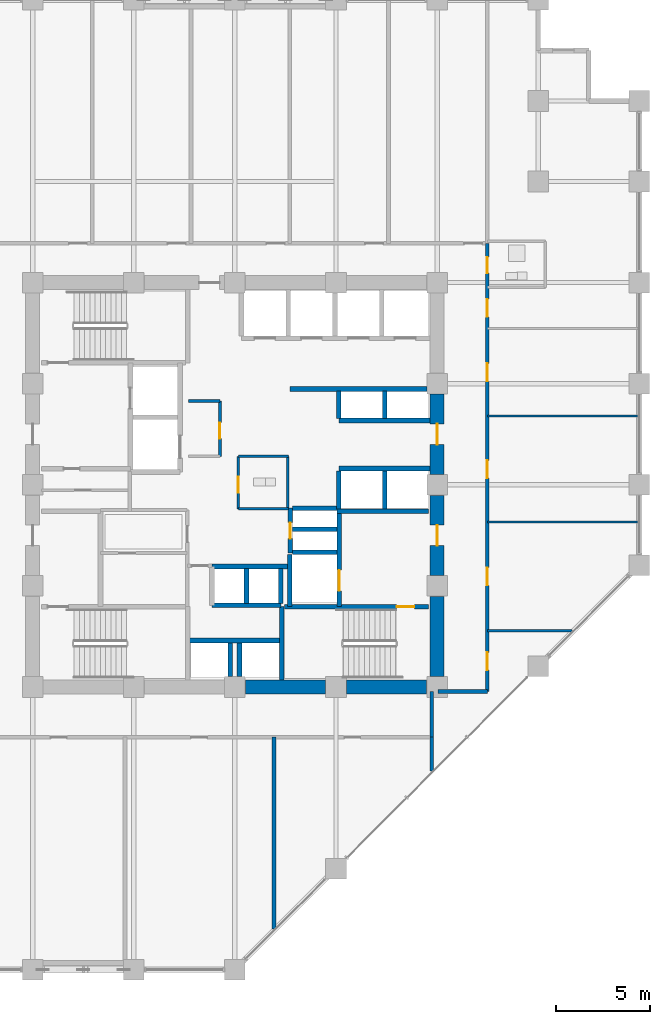
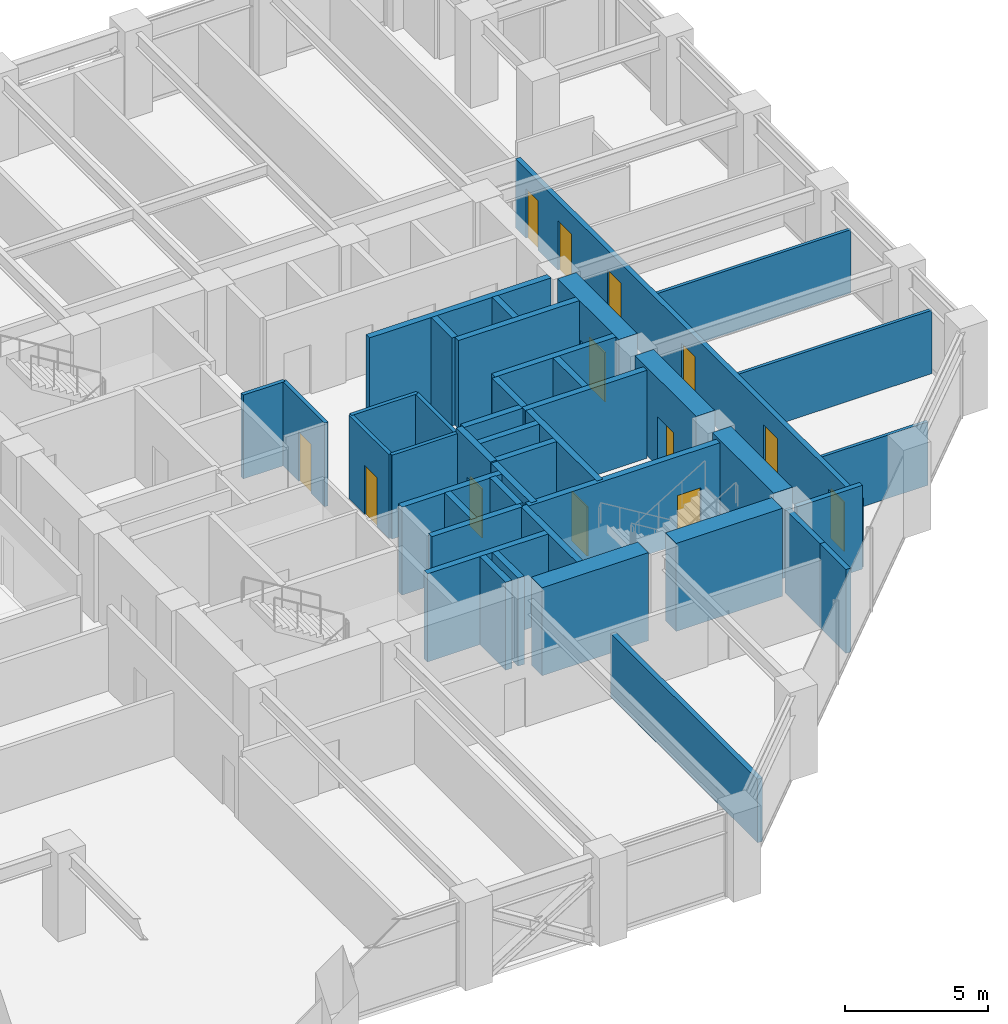
# One storey, part 20 of 25: 42 walls, 13 doors, 13 openings.
"""IFC4 building model written with IfcOpenShell, lengths in metres."""

from ifc_helpers import new_model, si_unit, direction, frame, frame_2d, origin, place, context, subcontext, project, spatial, rectangle, extrude, material, layer, layer_set, type_object, element, fill, save


model = new_model("IFC4")

# Units and contexts
model_context = context("Model", 3, precision=1e-05, world=origin(), true_north=direction((0.0, 1.0)))
body_context = subcontext(model_context, "Body", "Model", "MODEL_VIEW")
ifc_project = project(units=[si_unit("LENGTHUNIT", "METRE"), si_unit("AREAUNIT", "SQUARE_METRE"), si_unit("VOLUMEUNIT", "CUBIC_METRE"), si_unit("PLANEANGLEUNIT", "RADIAN"), si_unit("MASSUNIT", "GRAM", prefix="KILO")], contexts=[model_context])

# Site, building, storey
site_placement = place(None, origin())
site = spatial("IfcSite", under=ifc_project, at=site_placement, CompositionType="ELEMENT")
building_placement = place(site_placement, origin())
building = spatial("IfcBuilding", under=site, at=building_placement, Name="Surkhivell Harbour Commons", CompositionType="ELEMENT")
storey_placement = place(building_placement, frame((0.0, 0.0, 117.0)))
storey = spatial("IfcBuildingStorey", under=building, at=storey_placement, Name="L30", CompositionType="ELEMENT", Elevation=117.0)

# Wall
ifc_material_1 = material(Name="Concrete C60/75", Category="concrete")
ifc_layer_1 = layer(ifc_material_1, 0.75)
ifc_layer_set_1 = layer_set([ifc_layer_1], Name="Concrete C60/75")
wall_type_1 = type_object("IfcWallType", Name="WAL-CORE-750", PredefinedType="SHEAR", material=ifc_layer_set_1)
wall_1_placement = place(storey_placement, frame((10.800048828125, -10.239990234375, 0.0), z_axis=(0.0, 0.0, 1.0), x_axis=(0.0, 1.0, 0.0)))
element("IfcWall", 1, at=wall_1_placement, inside=storey, type_object=wall_type_1, Name="L30 Core Shear Wall East 1", PredefinedType="SHEAR", context=body_context, shape_type="SweptSolid", body=[
    extrude(rectangle(XDim=4.280029296875, YDim=0.75, at=frame_2d((2.14013671875, 0.0))), origin(), (0.0, 0.0, 1.0), 3.75),
])

# Wall, opening, door
wall_2_placement = place(storey_placement, frame((10.800048828125, -4.840087890625, 0.0), z_axis=(0.0, 0.0, 1.0), x_axis=(0.0, 1.0, 0.0)))
wall_2 = element("IfcWall", 2, at=wall_2_placement, inside=storey, type_object=wall_type_1, Name="L30 Core Shear Wall East 2", PredefinedType="SHEAR", context=body_context, shape_type="SweptSolid", body=[
    extrude(rectangle(XDim=4.280029296875, YDim=0.75, at=frame_2d((2.14013671875, 0.0))), origin(), (0.0, 0.0, 1.0), 3.75),
])
opening_1_placement = place(wall_2_placement, frame((1.590087890625, 0.0, 0.0)))
opening_1 = element("IfcOpeningElement", 3, at=opening_1_placement, cuts=wall_2, Name="Opening ID-1", PredefinedType="OPENING", context=body_context, shape_type="SweptSolid", body=[
    extrude(rectangle(XDim=1.10009765625, YDim=2.10009765625, at=frame_2d((0.550048828125, 1.050048828125))), frame((0.0, 0.385009765625, 0.0), z_axis=(0.0, -1.0, 0.0), x_axis=(1.0, 0.0, 0.0)), (0.0, 0.0, 1.0), 0.77001953125),
])
ifc_material_2 = material(Name="Hardwood-veneered fire-rated door leaf", Category="wood")
door_type_1 = type_object("IfcDoorType", Name="DOR-FD120-1100", OperationType="NOTDEFINED", PredefinedType="DOOR", material=ifc_material_2)
door_1_placement = place(opening_1_placement, origin())
door_1 = element("IfcDoor", 4, at=door_1_placement, inside=storey, type_object=door_type_1, Name="L30 Firefighting Lobby 2 Corridor Door", OperationType="SINGLE_SWING_RIGHT", OverallHeight=2.10009765625, OverallWidth=1.10009765625, PredefinedType="DOOR", context=body_context, shape_type="SweptSolid", body=[
    extrude(rectangle(XDim=1.10009765625, YDim=2.10009765625, at=frame_2d((0.550048828125, 1.050048828125))), frame((0.0, 0.02490234375, 0.0), z_axis=(0.0, -1.0, 0.0), x_axis=(1.0, 0.0, 0.0)), (0.0, 0.0, 1.0), 0.050048828125),
])
fill(opening_1, door_1)

# Wall
wall_3_placement = place(storey_placement, frame((0.56005859375, -10.800048828125, 0.0), z_axis=(0.0, 0.0, 1.0), x_axis=(1.0, 0.0, 0.0)))
element("IfcWall", 5, at=wall_3_placement, inside=storey, type_object=wall_type_1, Name="L30 Core Shear Wall South 3", PredefinedType="SHEAR", context=body_context, shape_type="SweptSolid", body=[
    extrude(rectangle(XDim=4.280029296875, YDim=0.75, at=frame_2d((2.14013671875, 0.0))), origin(), (0.0, 0.0, 1.0), 3.75),
])

# Wall, opening, door
wall_4_placement = place(storey_placement, frame((10.800048828125, 0.56005859375, 0.0), z_axis=(0.0, 0.0, 1.0), x_axis=(0.0, 1.0, 0.0)))
wall_4 = element("IfcWall", 6, at=wall_4_placement, inside=storey, type_object=wall_type_1, Name="L30 Core Shear Wall East 3", PredefinedType="SHEAR", context=body_context, shape_type="SweptSolid", body=[
    extrude(rectangle(XDim=4.280029296875, YDim=0.75, at=frame_2d((2.14013671875, 0.0))), origin(), (0.0, 0.0, 1.0), 3.75),
])
opening_2_placement = place(wall_4_placement, frame((1.590087890625, 0.0, 0.0)))
opening_2 = element("IfcOpeningElement", 7, at=opening_2_placement, cuts=wall_4, Name="Opening ID-2", PredefinedType="OPENING", context=body_context, shape_type="SweptSolid", body=[
    extrude(rectangle(XDim=1.10009765625, YDim=2.10009765625, at=frame_2d((0.550048828125, 1.050048828125))), frame((0.0, 0.385009765625, 0.0), z_axis=(0.0, -1.0, 0.0), x_axis=(1.0, 0.0, 0.0)), (0.0, 0.0, 1.0), 0.77001953125),
])
door_type_2 = type_object("IfcDoorType", Name="DOR-FD60-1100", OperationType="NOTDEFINED", PredefinedType="DOOR", material=ifc_material_2)
door_2_placement = place(opening_2_placement, origin())
door_2 = element("IfcDoor", 8, at=door_2_placement, inside=storey, type_object=door_type_2, Name="L30 Mid-Rise Lobby East Door", OperationType="SINGLE_SWING_LEFT", OverallHeight=2.10009765625, OverallWidth=1.10009765625, PredefinedType="DOOR", context=body_context, shape_type="SweptSolid", body=[
    extrude(rectangle(XDim=1.10009765625, YDim=2.10009765625, at=frame_2d((0.550048828125, 1.050048828125))), frame((0.0, 0.02490234375, 0.0), z_axis=(0.0, -1.0, 0.0), x_axis=(1.0, 0.0, 0.0)), (0.0, 0.0, 1.0), 0.050048828125),
])
fill(opening_2, door_2)

# Walls
wall_5_placement = place(storey_placement, frame((5.9599609375, -10.800048828125, 0.0), z_axis=(0.0, 0.0, 1.0), x_axis=(1.0, 0.0, 0.0)))
element("IfcWall", 9, at=wall_5_placement, inside=storey, type_object=wall_type_1, Name="L30 Core Shear Wall South 4", PredefinedType="SHEAR", context=body_context, shape_type="SweptSolid", body=[
    extrude(rectangle(XDim=4.280029296875, YDim=0.75, at=frame_2d((2.14013671875, 0.0))), origin(), (0.0, 0.0, 1.0), 3.75),
])
ifc_material_3 = material(Name="Moisture-resistant acoustic stud partition", Category="other")
ifc_layer_2 = layer(ifc_material_3, 0.125)
ifc_layer_set_2 = layer_set([ifc_layer_2], Name="Moisture-resistant acoustic stud partition")
wall_type_2 = type_object("IfcWallType", Name="WAL-INT-125", PredefinedType="PARTITIONING", material=ifc_layer_set_2)
for number, where, z_axis, x_axis, name in (
    (10, (13.47998046875, -1.989990234375, 0.0), (0.0, 0.0, 1.0), (1.0, 0.0, 0.0), "L30 East Partition BDP1"),
    (11, (13.47998046875, 3.669921875, 0.0), (0.0, 0.0, 1.0), (1.0, 0.0, 0.0), "L30 East Partition BDP2"),
):
    element("IfcWall", number, at=place(storey_placement, frame(where, z_axis=z_axis, x_axis=x_axis)), inside=storey, type_object=wall_type_2, Name=name, PredefinedType="PARTITIONING", context=body_context, shape_type="SweptSolid", body=[
        extrude(rectangle(XDim=8.06005859375, YDim=0.125, at=frame_2d((4.030029296875, 0.0))), origin(), (0.0, 0.0, 1.0), 2.698974609375),
    ])
wall_6_placement = place(storey_placement, frame((13.47998046875, -7.800048828125, 0.0), z_axis=(0.0, 0.0, 1.0), x_axis=(1.0, 0.0, 0.0)))
element("IfcWall", 12, at=wall_6_placement, inside=storey, type_object=wall_type_2, Name="L30 East Partition PBOT", PredefinedType="PARTITIONING", context=body_context, shape_type="SweptSolid", body=[
    extrude(rectangle(XDim=4.53515625, YDim=0.125, at=frame_2d((2.267578125, 0.0))), origin(), (0.0, 0.0, 1.0), 2.698974609375),
])
ifc_material_4 = material(Name="Twin-stud acoustic fireboard partition", Category="other")
ifc_layer_3 = layer(ifc_material_4, 0.14990234375)
ifc_layer_set_3 = layer_set([ifc_layer_3], Name="Twin-stud acoustic fireboard partition")
wall_type_3 = type_object("IfcWallType", Name="WAL-INT-150", PredefinedType="PARTITIONING", material=ifc_layer_set_3)
wall_7_placement = place(storey_placement, frame((2.820068359375, -1.25, 0.0), z_axis=(0.0, 0.0, 1.0), x_axis=(0.0, 1.0, 0.0)))
element("IfcWall", 13, at=wall_7_placement, inside=storey, type_object=wall_type_3, Name="L30 Core WC East Wall", PredefinedType="PARTITIONING", context=body_context, shape_type="SweptSolid", body=[
    extrude(rectangle(XDim=2.77001953125, YDim=0.14990234375, at=frame_2d((1.385009765625, 0.0))), origin(), (0.0, 0.0, 1.0), 3.570068359375),
])
for number, where, z_axis, x_axis, name in (
    (14, (0.179931640625, 1.52001953125, 0.0), (0.0, 0.0, 1.0), (1.0, 0.0, 0.0), "L30 Core WC North Wall"),
    (15, (0.179931640625, -1.280029296875, 0.0), (0.0, 0.0, 1.0), (1.0, 0.0, 0.0), "L30 Core WC South Wall"),
):
    element("IfcWall", number, at=place(storey_placement, frame(where, z_axis=z_axis, x_axis=x_axis)), inside=storey, type_object=wall_type_3, Name=name, PredefinedType="PARTITIONING", context=body_context, shape_type="SweptSolid", body=[
        extrude(rectangle(XDim=2.670166015625, YDim=0.14990234375, at=frame_2d((1.3349609375, 0.0))), origin(), (0.0, 0.0, 1.0), 3.570068359375),
    ])

# Wall, opening, door
wall_8_placement = place(storey_placement, frame((0.179931640625, -1.280029296875, 0.0), z_axis=(0.0, 0.0, 1.0), x_axis=(0.0, 1.0, 0.0)))
wall_8 = element("IfcWall", 16, at=wall_8_placement, inside=storey, type_object=wall_type_3, Name="L30 Core Accessible WC West Wall", PredefinedType="PARTITIONING", context=body_context, shape_type="SweptSolid", body=[
    extrude(rectangle(XDim=2.800048828125, YDim=0.14990234375, at=frame_2d((1.39990234375, 0.0))), origin(), (0.0, 0.0, 1.0), 3.570068359375),
])
opening_3_placement = place(wall_8_placement, frame((0.85009765625, 0.0, 0.0)))
opening_3 = element("IfcOpeningElement", 17, at=opening_3_placement, cuts=wall_8, Name="Opening ID-6", PredefinedType="OPENING", context=body_context, shape_type="SweptSolid", body=[
    extrude(rectangle(XDim=0.85009765625, YDim=2.10009765625, at=frame_2d((0.425048828125, 1.050048828125))), frame((0.0, 0.0849609375, 0.0), z_axis=(0.0, -1.0, 0.0), x_axis=(1.0, 0.0, 0.0)), (0.0, 0.0, 1.0), 0.169921875),
])
door_type_3 = type_object("IfcDoorType", Name="DOR-FD30-850", OperationType="NOTDEFINED", PredefinedType="DOOR", material=ifc_material_2)
door_3_placement = place(opening_3_placement, origin())
door_3 = element("IfcDoor", 18, at=door_3_placement, inside=storey, type_object=door_type_3, Name="L30 Floor Accessible WC Door", OperationType="SINGLE_SWING_RIGHT", OverallHeight=2.10009765625, OverallWidth=0.85009765625, PredefinedType="DOOR", context=body_context, shape_type="SweptSolid", body=[
    extrude(rectangle(XDim=0.85009765625, YDim=2.10009765625, at=frame_2d((0.425048828125, 1.050048828125))), frame((0.0, 0.02490234375, 0.0), z_axis=(0.0, -1.0, 0.0), x_axis=(1.0, 0.0, 0.0)), (0.0, 0.0, 1.0), 0.050048828125),
])
fill(opening_3, door_3)

wall_9_placement = place(storey_placement, frame((-0.800048828125, 1.52001953125, 0.0), z_axis=(0.0, 0.0, 1.0), x_axis=(0.0, 1.0, 0.0)))
wall_9 = element("IfcWall", 19, at=wall_9_placement, inside=storey, type_object=wall_type_3, Name="L30 Core Seminar East Wall", PredefinedType="PARTITIONING", context=body_context, shape_type="SweptSolid", body=[
    extrude(rectangle(XDim=2.9599609375, YDim=0.14990234375, at=frame_2d((1.47998046875, 0.0))), origin(), (0.0, 0.0, 1.0), 3.570068359375),
])
opening_4_placement = place(wall_9_placement, frame((0.949951171875, 0.0, 0.0)))
opening_4 = element("IfcOpeningElement", 20, at=opening_4_placement, cuts=wall_9, Name="Opening ID-6", PredefinedType="OPENING", context=body_context, shape_type="SweptSolid", body=[
    extrude(rectangle(XDim=0.85009765625, YDim=2.10009765625, at=frame_2d((0.425048828125, 1.050048828125))), frame((0.0, 0.0849609375, 0.0), z_axis=(0.0, -1.0, 0.0), x_axis=(1.0, 0.0, 0.0)), (0.0, 0.0, 1.0), 0.169921875),
])
door_4_placement = place(opening_4_placement, origin())
door_4 = element("IfcDoor", 21, at=door_4_placement, inside=storey, type_object=door_type_3, Name="L30 Central Seminar Door", OperationType="SINGLE_SWING_LEFT", OverallHeight=2.10009765625, OverallWidth=0.85009765625, PredefinedType="DOOR", context=body_context, shape_type="SweptSolid", body=[
    extrude(rectangle(XDim=0.85009765625, YDim=2.10009765625, at=frame_2d((0.425048828125, 1.050048828125))), frame((0.0, 0.02490234375, 0.0), z_axis=(0.0, -1.0, 0.0), x_axis=(1.0, 0.0, 0.0)), (0.0, 0.0, 1.0), 0.050048828125),
])
fill(opening_4, door_4)

# Walls
wall_10_placement = place(storey_placement, frame((-2.47998046875, 4.47998046875, 0.0), z_axis=(0.0, 0.0, 1.0), x_axis=(1.0, 0.0, 0.0)))
element("IfcWall", 22, at=wall_10_placement, inside=storey, type_object=wall_type_3, Name="L30 Core Seminar North Wall", PredefinedType="PARTITIONING", context=body_context, shape_type="SweptSolid", body=[
    extrude(rectangle(XDim=1.679931640625, YDim=0.14990234375, at=frame_2d((0.83984375, 0.0))), origin(), (0.0, 0.0, 1.0), 3.570068359375),
])
ifc_material_5 = material(Name="Autoclaved aerated concrete blockwork and fire plaster", Category="masonry")
ifc_layer_4 = layer(ifc_material_5, 0.199951171875)
ifc_layer_set_4 = layer_set([ifc_layer_4], Name="Autoclaved aerated concrete blockwork and fire plaster")
wall_type_4 = type_object("IfcWallType", Name="WAL-INT-200", PredefinedType="PARTITIONING", material=ifc_layer_set_4)
wall_11_placement = place(storey_placement, frame((10.52001953125, -15.295166015625, 0.0), z_axis=(0.0, 0.0, 1.0), x_axis=(0.0, 1.0, 0.0)))
element("IfcWall", 23, at=wall_11_placement, inside=storey, type_object=wall_type_4, Name="L30 South-East Wing Corner Divider", PredefinedType="PARTITIONING", context=body_context, shape_type="SweptSolid", body=[
    extrude(rectangle(XDim=1.815185546875, YDim=0.199951171875, at=frame_2d((0.90771484375, 0.0))), origin(), (0.0, 0.0, 1.0), 3.570068359375),
])

# Wall, openings, doors
wall_12_placement = place(storey_placement, frame((13.47998046875, -11.0400390625, 0.0), z_axis=(0.0, 0.0, 1.0), x_axis=(0.0, 1.0, 0.0)))
wall_12 = element("IfcWall", 24, at=wall_12_placement, inside=storey, type_object=wall_type_4, Name="L30 Corridor East Wall", PredefinedType="PARTITIONING", context=body_context, shape_type="SweptSolid", body=[
    extrude(rectangle(XDim=23.93994140625, YDim=0.199951171875, at=frame_2d((11.969970703125, 0.0))), origin(), (0.0, 0.0, 1.0), 2.93310546875),
])
opening_5_placement = place(wall_12_placement, frame((1.139892578125, 0.0, 0.0)))
opening_5 = element("IfcOpeningElement", 25, at=opening_5_placement, cuts=wall_12, Name="Opening ID-4", PredefinedType="OPENING", context=body_context, shape_type="SweptSolid", body=[
    extrude(rectangle(XDim=0.949951171875, YDim=2.10009765625, at=frame_2d((0.47509765625, 1.050048828125))), frame((0.0, 0.10986328125, 0.0), z_axis=(0.0, -1.0, 0.0), x_axis=(1.0, 0.0, 0.0)), (0.0, 0.0, 1.0), 0.219970703125),
])
opening_6_placement = place(wall_12_placement, frame((22.344970703125, 0.0, 0.0)))
opening_6 = element("IfcOpeningElement", 26, at=opening_6_placement, cuts=wall_12, Name="Opening ID-6", PredefinedType="OPENING", context=body_context, shape_type="SweptSolid", body=[
    extrude(rectangle(XDim=0.85009765625, YDim=2.10009765625, at=frame_2d((0.425048828125, 1.050048828125))), frame((0.0, 0.10986328125, 0.0), z_axis=(0.0, -1.0, 0.0), x_axis=(1.0, 0.0, 0.0)), (0.0, 0.0, 1.0), 0.219970703125),
])
opening_7_placement = place(wall_12_placement, frame((20.010009765625, 0.0, 0.0)))
opening_7 = element("IfcOpeningElement", 27, at=opening_7_placement, cuts=wall_12, Name="Opening ID-4", PredefinedType="OPENING", context=body_context, shape_type="SweptSolid", body=[
    extrude(rectangle(XDim=0.949951171875, YDim=2.10009765625, at=frame_2d((0.47509765625, 1.050048828125))), frame((0.0, 0.10986328125, 0.0), z_axis=(0.0, -1.0, 0.0), x_axis=(1.0, 0.0, 0.0)), (0.0, 0.0, 1.0), 0.219970703125),
])
opening_8_placement = place(wall_12_placement, frame((5.6650390625, 0.0, 0.0)))
opening_8 = element("IfcOpeningElement", 28, at=opening_8_placement, cuts=wall_12, Name="Opening ID-4", PredefinedType="OPENING", context=body_context, shape_type="SweptSolid", body=[
    extrude(rectangle(XDim=0.949951171875, YDim=2.10009765625, at=frame_2d((0.47509765625, 1.050048828125))), frame((0.0, 0.10986328125, 0.0), z_axis=(0.0, -1.0, 0.0), x_axis=(1.0, 0.0, 0.0)), (0.0, 0.0, 1.0), 0.219970703125),
])
opening_9_placement = place(wall_12_placement, frame((11.39990234375, 0.0, 0.0)))
opening_9 = element("IfcOpeningElement", 29, at=opening_9_placement, cuts=wall_12, Name="Opening ID-4", PredefinedType="OPENING", context=body_context, shape_type="SweptSolid", body=[
    extrude(rectangle(XDim=0.949951171875, YDim=2.10009765625, at=frame_2d((0.47509765625, 1.050048828125))), frame((0.0, 0.10986328125, 0.0), z_axis=(0.0, -1.0, 0.0), x_axis=(1.0, 0.0, 0.0)), (0.0, 0.0, 1.0), 0.219970703125),
])
opening_10_placement = place(wall_12_placement, frame((16.570068359375, 0.0, 0.0)))
opening_10 = element("IfcOpeningElement", 30, at=opening_10_placement, cuts=wall_12, Name="Opening ID-4", PredefinedType="OPENING", context=body_context, shape_type="SweptSolid", body=[
    extrude(rectangle(XDim=0.949951171875, YDim=2.10009765625, at=frame_2d((0.47509765625, 1.050048828125))), frame((0.0, 0.10986328125, 0.0), z_axis=(0.0, -1.0, 0.0), x_axis=(1.0, 0.0, 0.0)), (0.0, 0.0, 1.0), 0.219970703125),
])
door_5_placement = place(opening_6_placement, origin())
door_5 = element("IfcDoor", 31, at=door_5_placement, inside=storey, type_object=door_type_3, Name="L30 Communal Shower Bathroom East Door", OperationType="SINGLE_SWING_RIGHT", OverallHeight=2.10009765625, OverallWidth=0.85009765625, PredefinedType="DOOR", context=body_context, shape_type="SweptSolid", body=[
    extrude(rectangle(XDim=0.85009765625, YDim=2.10009765625, at=frame_2d((0.425048828125, 1.050048828125))), frame((0.0, 0.02490234375, 0.0), z_axis=(0.0, -1.0, 0.0), x_axis=(1.0, 0.0, 0.0)), (0.0, 0.0, 1.0), 0.050048828125),
])
fill(opening_6, door_5)
door_type_4 = type_object("IfcDoorType", Name="DOR-FD60-950", OperationType="NOTDEFINED", PredefinedType="DOOR", material=ifc_material_2)
door_6_placement = place(opening_5_placement, origin())
door_6 = element("IfcDoor", 32, at=door_6_placement, inside=storey, type_object=door_type_4, Name="L30 Shared Communal Kitchen East Door", OperationType="SINGLE_SWING_LEFT", OverallHeight=2.10009765625, OverallWidth=0.949951171875, PredefinedType="DOOR", context=body_context, shape_type="SweptSolid", body=[
    extrude(rectangle(XDim=0.949951171875, YDim=2.10009765625, at=frame_2d((0.47509765625, 1.050048828125))), frame((0.0, 0.02490234375, 0.0), z_axis=(0.0, -1.0, 0.0), x_axis=(1.0, 0.0, 0.0)), (0.0, 0.0, 1.0), 0.050048828125),
])
fill(opening_5, door_6)
door_7_placement = place(opening_7_placement, origin())
door_7 = element("IfcDoor", 33, at=door_7_placement, inside=storey, type_object=door_type_4, Name="L30 Academic Reading Commons East Door", OperationType="SINGLE_SWING_LEFT", OverallHeight=2.10009765625, OverallWidth=0.949951171875, PredefinedType="DOOR", context=body_context, shape_type="SweptSolid", body=[
    extrude(rectangle(XDim=0.949951171875, YDim=2.10009765625, at=frame_2d((0.47509765625, 1.050048828125))), frame((0.0, 0.02490234375, 0.0), z_axis=(0.0, -1.0, 0.0), x_axis=(1.0, 0.0, 0.0)), (0.0, 0.0, 1.0), 0.050048828125),
])
fill(opening_7, door_7)
door_8_placement = place(opening_8_placement, origin())
door_8 = element("IfcDoor", 34, at=door_8_placement, inside=storey, type_object=door_type_4, Name="L30 Hostel Cluster Bedroom 1 East Door", OperationType="SINGLE_SWING_RIGHT", OverallHeight=2.10009765625, OverallWidth=0.949951171875, PredefinedType="DOOR", context=body_context, shape_type="SweptSolid", body=[
    extrude(rectangle(XDim=0.949951171875, YDim=2.10009765625, at=frame_2d((0.47509765625, 1.050048828125))), frame((0.0, 0.02490234375, 0.0), z_axis=(0.0, -1.0, 0.0), x_axis=(1.0, 0.0, 0.0)), (0.0, 0.0, 1.0), 0.050048828125),
])
fill(opening_8, door_8)
door_9_placement = place(opening_9_placement, origin())
door_9 = element("IfcDoor", 35, at=door_9_placement, inside=storey, type_object=door_type_4, Name="L30 Co-Living Dormitory Bedroom 2 East Door", OperationType="SINGLE_SWING_LEFT", OverallHeight=2.10009765625, OverallWidth=0.949951171875, PredefinedType="DOOR", context=body_context, shape_type="SweptSolid", body=[
    extrude(rectangle(XDim=0.949951171875, YDim=2.10009765625, at=frame_2d((0.47509765625, 1.050048828125))), frame((0.0, 0.02490234375, 0.0), z_axis=(0.0, -1.0, 0.0), x_axis=(1.0, 0.0, 0.0)), (0.0, 0.0, 1.0), 0.050048828125),
])
fill(opening_9, door_9)
door_10_placement = place(opening_10_placement, origin())
door_10 = element("IfcDoor", 36, at=door_10_placement, inside=storey, type_object=door_type_4, Name="L30 Hostel Cluster Bedroom 3 East Door", OperationType="SINGLE_SWING_RIGHT", OverallHeight=2.10009765625, OverallWidth=0.949951171875, PredefinedType="DOOR", context=body_context, shape_type="SweptSolid", body=[
    extrude(rectangle(XDim=0.949951171875, YDim=2.10009765625, at=frame_2d((0.47509765625, 1.050048828125))), frame((0.0, 0.02490234375, 0.0), z_axis=(0.0, -1.0, 0.0), x_axis=(1.0, 0.0, 0.0)), (0.0, 0.0, 1.0), 0.050048828125),
])
fill(opening_10, door_10)

# Walls
wall_13_placement = place(storey_placement, frame((10.85009765625, -11.0400390625, 0.0), z_axis=(0.0, 0.0, 1.0), x_axis=(1.0, 0.0, 0.0)))
element("IfcWall", 37, at=wall_13_placement, inside=storey, type_object=wall_type_4, Name="L30 Corridor East South Closure Wall", PredefinedType="PARTITIONING", context=body_context, shape_type="SweptSolid", body=[
    extrude(rectangle(XDim=2.6298828125, YDim=0.199951171875, at=frame_2d((1.31494140625, 0.0))), origin(), (0.0, 0.0, 1.0), 3.570068359375),
])
wall_14_placement = place(storey_placement, frame((10.52001953125, -13.47998046875, 0.0), z_axis=(0.0, 0.0, 1.0), x_axis=(0.0, 1.0, 0.0)))
element("IfcWall", 38, at=wall_14_placement, inside=storey, type_object=wall_type_4, Name="L30 Corridor SE Closure Wall", PredefinedType="PARTITIONING", context=body_context, shape_type="SweptSolid", body=[
    extrude(rectangle(XDim=2.43994140625, YDim=0.199951171875, at=frame_2d((1.219970703125, 0.0))), origin(), (0.0, 0.0, 1.0), 3.570068359375),
])
wall_15_placement = place(storey_placement, frame((2.090087890625, -23.72509765625, 0.0), z_axis=(0.0, 0.0, 1.0), x_axis=(0.0, 1.0, 0.0)))
element("IfcWall", 39, at=wall_15_placement, inside=storey, type_object=wall_type_4, Name="L30 South Partition P2", PredefinedType="PARTITIONING", context=body_context, shape_type="SweptSolid", body=[
    extrude(rectangle(XDim=10.2451171875, YDim=0.199951171875, at=frame_2d((5.12255859375, 0.0))), origin(), (0.0, 0.0, 1.0), 2.698974609375),
])
ifc_material_6 = material(Name="Concrete C50/60", Category="concrete")
ifc_layer_5 = layer(ifc_material_6, 0.25)
ifc_layer_set_5 = layer_set([ifc_layer_5], Name="Concrete C50/60")
wall_type_5 = type_object("IfcWallType", Name="WAL-SHAFT-250", PredefinedType="SHEAR", material=ifc_layer_set_5)
wall_16_placement = place(storey_placement, frame((2.929931640625, -6.510009765625, 0.0), z_axis=(0.0, 0.0, 1.0), x_axis=(0.0, 1.0, 0.0)))
element("IfcWall", 40, at=wall_16_placement, inside=storey, type_object=wall_type_5, Name="L30 FFL2 West Shaft Wall", PredefinedType="SHEAR", context=body_context, shape_type="SweptSolid", body=[
    extrude(rectangle(XDim=2.7900390625, YDim=0.25, at=frame_2d((1.39501953125, 0.0))), origin(), (0.0, 0.0, 1.0), 3.75),
])
wall_17_placement = place(storey_placement, frame((5.43994140625, -1.419921875, 0.0), z_axis=(0.0, 0.0, 1.0), x_axis=(1.0, 0.0, 0.0)))
element("IfcWall", 41, at=wall_17_placement, inside=storey, type_object=wall_type_5, Name="L30 Firefighting Lobby 2 North Wall", PredefinedType="SHEAR", context=body_context, shape_type="SweptSolid", body=[
    extrude(rectangle(XDim=4.900146484375, YDim=0.25, at=frame_2d((2.4501953125, 0.0))), origin(), (0.0, 0.0, 1.0), 3.75),
])
wall_18_placement = place(storey_placement, frame((3.080078125, -3.60009765625, 0.0), z_axis=(0.0, 0.0, 1.0), x_axis=(1.0, 0.0, 0.0)))
element("IfcWall", 42, at=wall_18_placement, inside=storey, type_object=wall_type_5, Name="L30 FFL2 North Shaft Wall", PredefinedType="SHEAR", context=body_context, shape_type="SweptSolid", body=[
    extrude(rectangle(XDim=2.369873046875, YDim=0.25, at=frame_2d((1.18505859375, 0.0))), origin(), (0.0, 0.0, 1.0), 3.75),
])

# Wall, opening, door
wall_19_placement = place(storey_placement, frame((5.580078125, -6.510009765625, 0.0), z_axis=(0.0, 0.0, 1.0), x_axis=(0.0, 1.0, 0.0)))
wall_19 = element("IfcWall", 43, at=wall_19_placement, inside=storey, type_object=wall_type_5, Name="L30 Firefighting Lobby 2 West Shaft Wall", PredefinedType="SHEAR", context=body_context, shape_type="SweptSolid", body=[
    extrude(rectangle(XDim=5.090087890625, YDim=0.25, at=frame_2d((2.544921875, 0.0))), origin(), (0.0, 0.0, 1.0), 3.75),
])
opening_11_placement = place(wall_19_placement, frame((0.85009765625, 0.0, 0.0)))
opening_11 = element("IfcOpeningElement", 44, at=opening_11_placement, cuts=wall_19, Name="Opening LD-1", PredefinedType="OPENING", context=body_context, shape_type="SweptSolid", body=[
    extrude(rectangle(XDim=1.10009765625, YDim=2.10009765625, at=frame_2d((0.550048828125, 1.050048828125))), frame((0.0, 0.135009765625, 0.0), z_axis=(0.0, -1.0, 0.0), x_axis=(1.0, 0.0, 0.0)), (0.0, 0.0, 1.0), 0.27001953125),
])
ifc_material_7 = material(Name="Brushed stainless steel S355", Category="steel")
door_type_5 = type_object("IfcDoorType", Name="DOR-LD-1100", OperationType="SLIDING_TO_LEFT", PredefinedType="DOOR", material=ifc_material_7)
door_11_placement = place(opening_11_placement, origin())
door_11 = element("IfcDoor", 45, at=door_11_placement, inside=storey, type_object=door_type_5, Name="L30 Lift Landing Door LD-FFL2", OperationType="SLIDING_TO_RIGHT", OverallHeight=2.10009765625, OverallWidth=1.10009765625, PredefinedType="DOOR", context=body_context, shape_type="SweptSolid", body=[
    extrude(rectangle(XDim=1.10009765625, YDim=2.10009765625, at=frame_2d((0.550048828125, 1.050048828125))), frame((0.0, 0.02490234375, 0.0), z_axis=(0.0, -1.0, 0.0), x_axis=(1.0, 0.0, 0.0)), (0.0, 0.0, 1.0), 0.050048828125),
])
fill(opening_11, door_11)

# Walls
for number, where, z_axis, x_axis, name in (
    (46, (0.6201171875, -6.340087890625, 0.0), (0.0, 0.0, 1.0), (0.0, 1.0, 0.0), "L30 High-Rise Side Wall N"),
    (47, (2.449951171875, -6.340087890625, 0.0), (0.0, 0.0, 1.0), (0.0, 1.0, 0.0), "L30 High-Rise Side Wall N"),
):
    element("IfcWall", number, at=place(storey_placement, frame(where, z_axis=z_axis, x_axis=x_axis)), inside=storey, type_object=wall_type_5, Name=name, PredefinedType="SHEAR", context=body_context, shape_type="SweptSolid", body=[
        extrude(rectangle(XDim=1.880126953125, YDim=0.25, at=frame_2d((0.93994140625, 0.0))), origin(), (0.0, 0.0, 1.0), 3.75),
    ])
for number, where, z_axis, x_axis, name in (
    (48, (-0.25, -10.25, 0.0), (0.0, 0.0, 1.0), (0.0, 1.0, 0.0), "L30 High-Rise Side Wall S"),
    (49, (0.25, -10.25, 0.0), (0.0, 0.0, 1.0), (0.0, 1.0, 0.0), "L30 High-Rise Side Wall S"),
):
    element("IfcWall", number, at=place(storey_placement, frame(where, z_axis=z_axis, x_axis=x_axis)), inside=storey, type_object=wall_type_5, Name=name, PredefinedType="SHEAR", context=body_context, shape_type="SweptSolid", body=[
        extrude(rectangle(XDim=1.81005859375, YDim=0.25, at=frame_2d((0.905029296875, 0.0))), origin(), (0.0, 0.0, 1.0), 3.75),
    ])
wall_20_placement = place(storey_placement, frame((-1.219970703125, -6.43994140625, 0.0), z_axis=(0.0, 0.0, 1.0), x_axis=(1.0, 0.0, 0.0)))
element("IfcWall", 50, at=wall_20_placement, inside=storey, type_object=wall_type_5, Name="L30 High-Rise North Front Shaft Wall", PredefinedType="SHEAR", context=body_context, shape_type="SweptSolid", body=[
    extrude(rectangle(XDim=3.669921875, YDim=0.25, at=frame_2d((1.8349609375, 0.0))), origin(), (0.0, 0.0, 1.0), 3.75),
])
wall_21_placement = place(storey_placement, frame((-2.47998046875, -8.320068359375, 0.0), z_axis=(0.0, 0.0, 1.0), x_axis=(1.0, 0.0, 0.0)))
element("IfcWall", 51, at=wall_21_placement, inside=storey, type_object=wall_type_5, Name="L30 High-Rise South Front Shaft Wall", PredefinedType="SHEAR", context=body_context, shape_type="SweptSolid", body=[
    extrude(rectangle(XDim=4.929931640625, YDim=0.25, at=frame_2d((2.46484375, 0.0))), origin(), (0.0, 0.0, 1.0), 3.75),
])
wall_22_placement = place(storey_placement, frame((-1.219970703125, -4.360107421875, 0.0), z_axis=(0.0, 0.0, 1.0), x_axis=(1.0, 0.0, 0.0)))
element("IfcWall", 52, at=wall_22_placement, inside=storey, type_object=wall_type_5, Name="L30 High-Rise North Back Shaft Wall", PredefinedType="SHEAR", context=body_context, shape_type="SweptSolid", body=[
    extrude(rectangle(XDim=4.030029296875, YDim=0.25, at=frame_2d((2.01513671875, 0.0))), origin(), (0.0, 0.0, 1.0), 3.75),
])
wall_23_placement = place(storey_placement, frame((2.949951171875, 5.1201171875, 0.0), z_axis=(0.0, 0.0, 1.0), x_axis=(1.0, 0.0, 0.0)))
element("IfcWall", 53, at=wall_23_placement, inside=storey, type_object=wall_type_5, Name="L30 Low-Rise Lobby South Wall", PredefinedType="SHEAR", context=body_context, shape_type="SweptSolid", body=[
    extrude(rectangle(XDim=7.300048828125, YDim=0.25, at=frame_2d((3.64990234375, 0.0))), origin(), (0.0, 0.0, 1.0), 3.75),
])
for number, where, z_axis, x_axis, name in (
    (54, (5.550048828125, 3.550048828125, 0.0), (0.0, 0.0, 1.0), (0.0, 1.0, 0.0), "L30 Mid-Rise Shaft Side Wall N"),
    (55, (8.0, 3.550048828125, 0.0), (0.0, 0.0, 1.0), (0.0, 1.0, 0.0), "L30 Mid-Rise Shaft Side Wall N"),
):
    element("IfcWall", number, at=place(storey_placement, frame(where, z_axis=z_axis, x_axis=x_axis)), inside=storey, type_object=wall_type_5, Name=name, PredefinedType="SHEAR", context=body_context, shape_type="SweptSolid", body=[
        extrude(rectangle(XDim=1.449951171875, YDim=0.25, at=frame_2d((0.72509765625, 0.0))), origin(), (0.0, 0.0, 1.0), 3.75),
    ])
for number, where, z_axis, x_axis, name in (
    (56, (5.550048828125, -1.300048828125, 0.0), (0.0, 0.0, 1.0), (0.0, 1.0, 0.0), "L30 Mid-Rise Shaft Side Wall S"),
    (57, (8.0, -1.300048828125, 0.0), (0.0, 0.0, 1.0), (0.0, 1.0, 0.0), "L30 Mid-Rise Shaft Side Wall S"),
):
    element("IfcWall", number, at=place(storey_placement, frame(where, z_axis=z_axis, x_axis=x_axis)), inside=storey, type_object=wall_type_5, Name=name, PredefinedType="SHEAR", context=body_context, shape_type="SweptSolid", body=[
        extrude(rectangle(XDim=2.0400390625, YDim=0.25, at=frame_2d((1.02001953125, 0.0))), origin(), (0.0, 0.0, 1.0), 3.75),
    ])
for number, where, z_axis, x_axis, name in (
    (58, (5.550048828125, 3.429931640625, 0.0), (0.0, 0.0, 1.0), (1.0, 0.0, 0.0), "L30 Mid-Rise North Front Shaft Wall"),
    (59, (5.550048828125, 0.8701171875, 0.0), (0.0, 0.0, 1.0), (1.0, 0.0, 0.0), "L30 Mid-Rise South Front Shaft Wall"),
):
    element("IfcWall", number, at=place(storey_placement, frame(where, z_axis=z_axis, x_axis=x_axis)), inside=storey, type_object=wall_type_5, Name=name, PredefinedType="SHEAR", context=body_context, shape_type="SweptSolid", body=[
        extrude(rectangle(XDim=4.875, YDim=0.25, at=frame_2d((2.4375, 0.0))), origin(), (0.0, 0.0, 1.0), 3.75),
    ])
for number, where, z_axis, x_axis, name in (
    (60, (3.080078125, -2.3798828125, 0.0), (0.0, 0.0, 1.0), (1.0, 0.0, 0.0), "L30 Riser Divider Wall"),
    (61, (3.080078125, -1.25, 0.0), (0.0, 0.0, 1.0), (1.0, 0.0, 0.0), "L30 Riser North Wall"),
):
    element("IfcWall", number, at=place(storey_placement, frame(where, z_axis=z_axis, x_axis=x_axis)), inside=storey, type_object=wall_type_5, Name=name, PredefinedType="SHEAR", context=body_context, shape_type="SweptSolid", body=[
        extrude(rectangle(XDim=2.369873046875, YDim=0.25, at=frame_2d((1.18505859375, 0.0))), origin(), (0.0, 0.0, 1.0), 3.75),
    ])

# Wall, opening, door
wall_24_placement = place(storey_placement, frame((2.949951171875, -3.64990234375, 0.0), z_axis=(0.0, 0.0, 1.0), x_axis=(0.0, 1.0, 0.0)))
wall_24 = element("IfcWall", 62, at=wall_24_placement, inside=storey, type_object=wall_type_5, Name="L30 Riser Shaft West Wall", PredefinedType="SHEAR", context=body_context, shape_type="SweptSolid", body=[
    extrude(rectangle(XDim=2.39990234375, YDim=0.25, at=frame_2d((1.199951171875, 0.0))), origin(), (0.0, 0.0, 1.0), 3.75),
])
opening_12_placement = place(wall_24_placement, frame((0.77490234375, 0.0, 0.0)))
opening_12 = element("IfcOpeningElement", 63, at=opening_12_placement, cuts=wall_24, Name="Opening ID-6", PredefinedType="OPENING", context=body_context, shape_type="SweptSolid", body=[
    extrude(rectangle(XDim=0.85009765625, YDim=2.10009765625, at=frame_2d((0.425048828125, 1.050048828125))), frame((0.0, 0.135009765625, 0.0), z_axis=(0.0, -1.0, 0.0), x_axis=(1.0, 0.0, 0.0)), (0.0, 0.0, 1.0), 0.27001953125),
])
door_12_placement = place(opening_12_placement, origin())
door_12 = element("IfcDoor", 64, at=door_12_placement, inside=storey, type_object=door_type_3, Name="L30 Electrical Riser Access Door", OperationType="SINGLE_SWING_LEFT", OverallHeight=2.10009765625, OverallWidth=0.85009765625, PredefinedType="DOOR", context=body_context, shape_type="SweptSolid", body=[
    extrude(rectangle(XDim=0.85009765625, YDim=2.10009765625, at=frame_2d((0.425048828125, 1.050048828125))), frame((0.0, 0.02490234375, 0.0), z_axis=(0.0, -1.0, 0.0), x_axis=(1.0, 0.0, 0.0)), (0.0, 0.0, 1.0), 0.050048828125),
])
fill(opening_12, door_12)

wall_25_placement = place(storey_placement, frame((2.639892578125, -6.510009765625, 0.0), z_axis=(0.0, 0.0, 1.0), x_axis=(1.0, 0.0, 0.0)))
wall_25 = element("IfcWall", 65, at=wall_25_placement, inside=storey, type_object=wall_type_5, Name="L30 Stair ST2 North Shear Wall", PredefinedType="SHEAR", context=body_context, shape_type="SweptSolid", body=[
    extrude(rectangle(XDim=7.7001953125, YDim=0.25, at=frame_2d((3.85009765625, 0.0))), origin(), (0.0, 0.0, 1.0), 3.75),
])
opening_13_placement = place(wall_25_placement, frame((6.0, 0.0, 0.0)))
opening_13 = element("IfcOpeningElement", 66, at=opening_13_placement, cuts=wall_25, Name="Opening ID-4", PredefinedType="OPENING", context=body_context, shape_type="SweptSolid", body=[
    extrude(rectangle(XDim=0.949951171875, YDim=2.10009765625, at=frame_2d((0.47509765625, 1.050048828125))), frame((0.0, 0.135009765625, 0.0), z_axis=(0.0, -1.0, 0.0), x_axis=(1.0, 0.0, 0.0)), (0.0, 0.0, 1.0), 0.27001953125),
])
door_13_placement = place(opening_13_placement, origin())
door_13 = element("IfcDoor", 67, at=door_13_placement, inside=storey, type_object=door_type_4, Name="L30 Stair ST2 Exit Door", OperationType="SINGLE_SWING_RIGHT", OverallHeight=2.10009765625, OverallWidth=0.949951171875, PredefinedType="DOOR", context=body_context, shape_type="SweptSolid", body=[
    extrude(rectangle(XDim=0.949951171875, YDim=2.10009765625, at=frame_2d((0.47509765625, 1.050048828125))), frame((0.0, 0.02490234375, 0.0), z_axis=(0.0, -1.0, 0.0), x_axis=(1.0, 0.0, 0.0)), (0.0, 0.0, 1.0), 0.050048828125),
])
fill(opening_13, door_13)

# Wall
wall_26_placement = place(storey_placement, frame((2.510009765625, -10.425048828125, 0.0), z_axis=(0.0, 0.0, 1.0), x_axis=(0.0, 1.0, 0.0)))
element("IfcWall", 68, at=wall_26_placement, inside=storey, type_object=wall_type_5, Name="L30 Stair ST2 West Shear Wall", PredefinedType="SHEAR", context=body_context, shape_type="SweptSolid", body=[
    extrude(rectangle(XDim=3.9150390625, YDim=0.25, at=frame_2d((1.95751953125, 0.0))), origin(), (0.0, 0.0, 1.0), 3.75),
])

save(model, "model.ifc")
